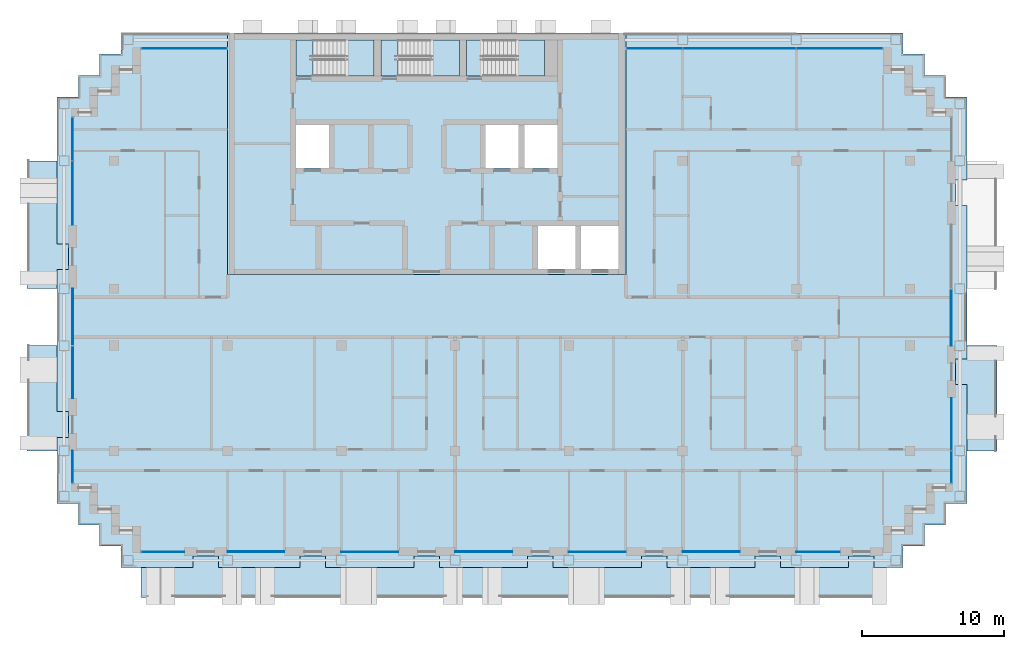
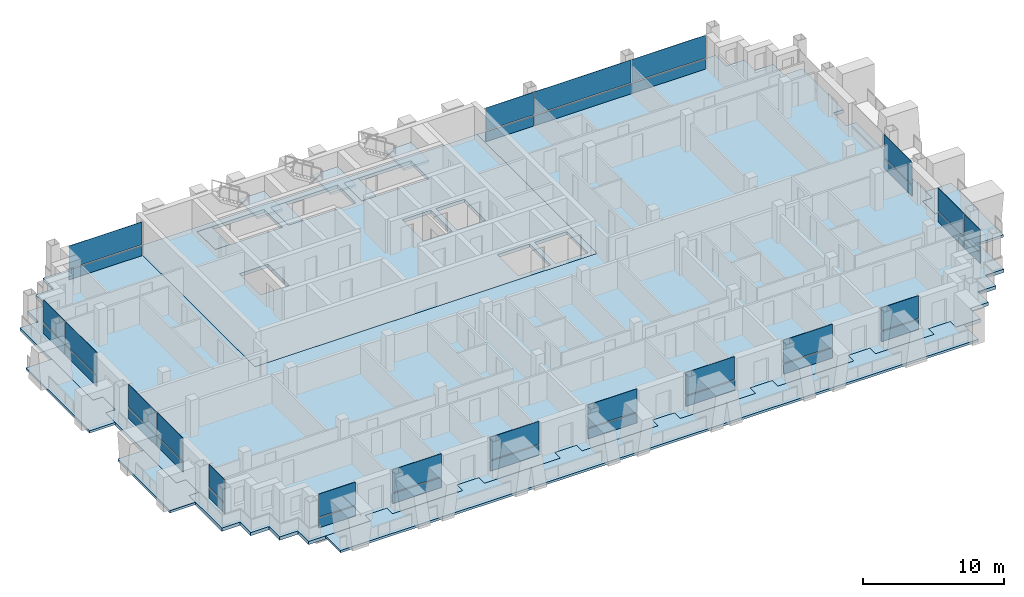
# One storey, part 6 of 16: 38 plates, 12 slabs, 17 elements without a shape of their own.
"""IFC4 building model written with IfcOpenShell, lengths in metres."""

from ifc_helpers import new_model, si_unit, direction, frame, origin, origin_2d, place, context, subcontext, project, spatial, polyline, rectangle, outline, extrude, material, layer, layer_set, type_object, element, aggregate, save


model = new_model("IFC4")

# Units and contexts
model_context = context("Model", 3, precision=1e-05, world=origin(), true_north=direction((0.0, 1.0)))
body_context = subcontext(model_context, "Body", "Model", "MODEL_VIEW")
ifc_project = project(units=[si_unit("LENGTHUNIT", "METRE"), si_unit("AREAUNIT", "SQUARE_METRE"), si_unit("VOLUMEUNIT", "CUBIC_METRE"), si_unit("PLANEANGLEUNIT", "RADIAN"), si_unit("MASSUNIT", "GRAM", prefix="KILO")], contexts=[model_context])

# Site, building, storey
site_placement = place(None, origin())
site = spatial("IfcSite", under=ifc_project, at=site_placement, CompositionType="ELEMENT")
building_placement = place(site_placement, origin())
building = spatial("IfcBuilding", under=site, at=building_placement, Name="Vidyagriha Tower", CompositionType="ELEMENT")
storey_placement = place(building_placement, frame((0.0, 0.0, 174.89990234375)))
storey = spatial("IfcBuildingStorey", under=building, at=storey_placement, Name="L45", CompositionType="ELEMENT", Elevation=174.89990234375)

# Curtain wall, plates
ifc_material_1 = material(Name="Aluminium and glass curtain wall", Category="aluminium")
curtain_wall_type = type_object("IfcCurtainWallType", Name="Dwelling skin unitised curtain wall", PredefinedType="USERDEFINED", material=ifc_material_1)
curtain_wall_1_placement = place(storey_placement, origin())
curtain_wall_1 = element("IfcCurtainWall", 1, at=curtain_wall_1_placement, inside=storey, type_object=curtain_wall_type, Name="CW1 dwelling skin", ObjectType="UNITISED", PredefinedType="USERDEFINED")
ifc_material_2 = material(Name="Glass dark ceramic-fritted spandrel", Category="glass")
ifc_layer_1 = layer(ifc_material_2, 0.0400390625)
ifc_layer_set_1 = layer_set([ifc_layer_1], Name="Glass dark ceramic-fritted spandrel")
plate_type_1 = type_object("IfcPlateType", Name="Ceramic-fritted spandrel panel", PredefinedType="CURTAIN_PANEL", material=ifc_layer_set_1)
plate_1_placement = place(storey_placement, frame((29.032470703125, 18.89990234375, 0.0), z_axis=(0.0, 0.0, 1.0), x_axis=(-1.0, 0.0, 0.0)))
plate_1 = element("IfcPlate", 2, at=plate_1_placement, type_object=plate_type_1, Name="CW1 panel 1.1", PredefinedType="CURTAIN_PANEL", context=body_context, shape_type="SweptSolid", body=[
    extrude(rectangle(XDim=5.9951171875, YDim=0.0400390625, at=origin_2d()), origin(), (0.0, 0.0, 1.0), 0.85009765625),
])
plate_2_placement = place(storey_placement, frame((16.017578125, 18.89990234375, 0.0), z_axis=(0.0, 0.0, 1.0), x_axis=(-1.0, 0.0, 0.0)))
plate_2 = element("IfcPlate", 3, at=plate_2_placement, type_object=plate_type_1, Name="CW1 panel 3.1", PredefinedType="CURTAIN_PANEL", context=body_context, shape_type="SweptSolid", body=[
    extrude(rectangle(XDim=3.89501953125, YDim=0.0400390625, at=origin_2d()), origin(), (0.0, 0.0, 1.0), 0.85009765625),
])

# Curtain wall, plate
curtain_wall_2_placement = place(storey_placement, origin())
curtain_wall_2 = element("IfcCurtainWall", 4, at=curtain_wall_2_placement, inside=storey, type_object=curtain_wall_type, Name="CW1 dwelling skin", ObjectType="UNITISED", PredefinedType="USERDEFINED")
plate_3_placement = place(storey_placement, frame((-17.050048828125, 18.89990234375, 0.0), z_axis=(0.0, 0.0, 1.0), x_axis=(-1.0, 0.0, 0.0)))
plate_3 = element("IfcPlate", 5, at=plate_3_placement, type_object=plate_type_1, Name="CW1 panel 1.1", PredefinedType="CURTAIN_PANEL", context=body_context, shape_type="SweptSolid", body=[
    extrude(rectangle(XDim=5.9599609375, YDim=0.0400390625, at=origin_2d()), origin(), (0.0, 0.0, 1.0), 0.85009765625),
])

# Curtain wall, plates
curtain_wall_3_placement = place(storey_placement, origin())
curtain_wall_3 = element("IfcCurtainWall", 6, at=curtain_wall_3_placement, inside=storey, type_object=curtain_wall_type, Name="CW1 dwelling skin", ObjectType="UNITISED", PredefinedType="USERDEFINED")
plate_4_placement = place(storey_placement, frame((-24.89990234375, 12.532470703125, 0.0), z_axis=(0.0, 0.0, 1.0), x_axis=(0.0, -1.0, 0.0)))
plate_4 = element("IfcPlate", 7, at=plate_4_placement, type_object=plate_type_1, Name="CW1 panel 1.1", PredefinedType="CURTAIN_PANEL", context=body_context, shape_type="SweptSolid", body=[
    extrude(rectangle(XDim=2.9951171875, YDim=0.0400390625, at=origin_2d()), origin(), (0.0, 0.0, 1.0), 0.85009765625),
])
plate_5_placement = place(storey_placement, frame((-24.89990234375, 8.732421875, 0.0), z_axis=(0.0, 0.0, 1.0), x_axis=(0.0, -1.0, 0.0)))
plate_5 = element("IfcPlate", 8, at=plate_5_placement, type_object=plate_type_1, Name="CW1 panel 2.1", PredefinedType="CURTAIN_PANEL", context=body_context, shape_type="SweptSolid", body=[
    extrude(rectangle(XDim=4.465087890625, YDim=0.0400390625, at=origin_2d()), origin(), (0.0, 0.0, 1.0), 0.85009765625),
])

# Curtain wall, plate
curtain_wall_4_placement = place(storey_placement, origin())
curtain_wall_4 = element("IfcCurtainWall", 9, at=curtain_wall_4_placement, inside=storey, type_object=curtain_wall_type, Name="CW1 dwelling skin", ObjectType="UNITISED", PredefinedType="USERDEFINED")
plate_6_placement = place(storey_placement, frame((-24.89990234375, -10.514892578125, 0.0), z_axis=(0.0, 0.0, 1.0), x_axis=(0.0, -1.0, 0.0)))
plate_6 = element("IfcPlate", 10, at=plate_6_placement, type_object=plate_type_1, Name="CW1 panel 1.1", PredefinedType="CURTAIN_PANEL", context=body_context, shape_type="SweptSolid", body=[
    extrude(rectangle(XDim=2.22998046875, YDim=0.0400390625, at=origin_2d()), origin(), (0.0, 0.0, 1.0), 0.85009765625),
])

curtain_wall_5_placement = place(storey_placement, origin())
curtain_wall_5 = element("IfcCurtainWall", 11, at=curtain_wall_5_placement, inside=storey, type_object=curtain_wall_type, Name="CW1 dwelling skin", ObjectType="UNITISED", PredefinedType="USERDEFINED")
plate_7_placement = place(storey_placement, frame((-18.5400390625, -16.5, 0.0)))
plate_7 = element("IfcPlate", 12, at=plate_7_placement, type_object=plate_type_1, Name="CW1 panel 1.1", PredefinedType="CURTAIN_PANEL", context=body_context, shape_type="SweptSolid", body=[
    extrude(rectangle(XDim=2.97998046875, YDim=0.0400390625, at=origin_2d()), origin(), (0.0, 0.0, 1.0), 0.85009765625),
])

curtain_wall_6_placement = place(storey_placement, origin())
curtain_wall_6 = element("IfcCurtainWall", 13, at=curtain_wall_6_placement, inside=storey, type_object=curtain_wall_type, Name="CW1 dwelling skin", ObjectType="UNITISED", PredefinedType="USERDEFINED")
plate_8_placement = place(storey_placement, frame((-4.0, -16.5, 0.0)))
plate_8 = element("IfcPlate", 14, at=plate_8_placement, type_object=plate_type_1, Name="CW1 panel 1.1", PredefinedType="CURTAIN_PANEL", context=body_context, shape_type="SweptSolid", body=[
    extrude(rectangle(XDim=4.0, YDim=0.0400390625, at=origin_2d()), origin(), (0.0, 0.0, 1.0), 0.85009765625),
])

curtain_wall_7_placement = place(storey_placement, origin())
curtain_wall_7 = element("IfcCurtainWall", 15, at=curtain_wall_7_placement, inside=storey, type_object=curtain_wall_type, Name="CW1 dwelling skin", ObjectType="UNITISED", PredefinedType="USERDEFINED")
plate_9_placement = place(storey_placement, frame((12.0, -16.5, 0.0)))
plate_9 = element("IfcPlate", 16, at=plate_9_placement, type_object=plate_type_1, Name="CW1 panel 1.1", PredefinedType="CURTAIN_PANEL", context=body_context, shape_type="SweptSolid", body=[
    extrude(rectangle(XDim=4.0, YDim=0.0400390625, at=origin_2d()), origin(), (0.0, 0.0, 1.0), 0.85009765625),
])

curtain_wall_8_placement = place(storey_placement, origin())
curtain_wall_8 = element("IfcCurtainWall", 17, at=curtain_wall_8_placement, inside=storey, type_object=curtain_wall_type, Name="CW1 dwelling skin", ObjectType="UNITISED", PredefinedType="USERDEFINED")
plate_10_placement = place(storey_placement, frame((27.52490234375, -16.5, 0.0)))
plate_10 = element("IfcPlate", 18, at=plate_10_placement, type_object=plate_type_1, Name="CW1 panel 1.1", PredefinedType="CURTAIN_PANEL", context=body_context, shape_type="SweptSolid", body=[
    extrude(rectangle(XDim=3.050048828125, YDim=0.0400390625, at=origin_2d()), origin(), (0.0, 0.0, 1.0), 0.85009765625),
])

# Curtain wall, plates
curtain_wall_9_placement = place(storey_placement, origin())
curtain_wall_9 = element("IfcCurtainWall", 19, at=curtain_wall_9_placement, inside=storey, type_object=curtain_wall_type, Name="CW1 dwelling skin", ObjectType="UNITISED", PredefinedType="USERDEFINED")
plate_11_placement = place(storey_placement, frame((36.89990234375, -10.532470703125, 0.0), z_axis=(0.0, 0.0, 1.0), x_axis=(0.0, 1.0, 0.0)))
plate_11 = element("IfcPlate", 20, at=plate_11_placement, type_object=plate_type_1, Name="CW1 panel 1.1", PredefinedType="CURTAIN_PANEL", context=body_context, shape_type="SweptSolid", body=[
    extrude(rectangle(XDim=2.195068359375, YDim=0.0400390625, at=origin_2d()), origin(), (0.0, 0.0, 1.0), 0.85009765625),
])
plate_12_placement = place(storey_placement, frame((36.89990234375, -7.532470703125, 0.0), z_axis=(0.0, 0.0, 1.0), x_axis=(0.0, 1.0, 0.0)))
plate_12 = element("IfcPlate", 21, at=plate_12_placement, type_object=plate_type_1, Name="CW1 panel 2.1", PredefinedType="CURTAIN_PANEL", context=body_context, shape_type="SweptSolid", body=[
    extrude(rectangle(XDim=3.6650390625, YDim=0.0400390625, at=origin_2d()), origin(), (0.0, 0.0, 1.0), 0.85009765625),
])

# Slab
ifc_material_3 = material(Name="Concrete C60/75", Category="concrete")
ifc_layer_2 = layer(ifc_material_3, 0.280029296875)
ifc_layer_set_2 = layer_set([ifc_layer_2], Name="Concrete C60/75")
slab_type_1 = type_object("IfcSlabType", Name="Core floor slab 280 mm", PredefinedType="FLOOR", material=ifc_layer_set_2)
slab_1_placement = place(storey_placement, frame((0.0, 0.0, -0.27978515625)))
element("IfcSlab", 22, at=slab_1_placement, inside=storey, type_object=slab_type_1, Name="L45 core floor 1", PredefinedType="FLOOR", context=body_context, shape_type="SweptSolid", body=[
    extrude(outline(polyline([(-14.0, 3.0), (-14.0, 20.0), (14.0, 20.0), (14.0, 3.0), (-14.0, 3.0)]), holes=[polyline([(13.5, 6.39990234375), (10.855712890625, 6.39990234375), (10.855712890625, 3.39990234375), (13.5, 3.39990234375), (13.5, 6.39990234375)]), polyline([(10.45556640625, 6.39990234375), (7.81103515625, 6.39990234375), (7.81103515625, 3.39990234375), (10.45556640625, 3.39990234375), (10.45556640625, 6.39990234375)]), polyline([(9.199951171875, 13.5), (6.86669921875, 13.5), (6.86669921875, 10.5), (9.199951171875, 10.5), (9.199951171875, 13.5)]), polyline([(2.800048828125, 19.5), (2.800048828125, 16.949951171875), (4.0, 16.949951171875), (8.300048828125, 16.949951171875), (8.300048828125, 19.5), (4.0, 19.5), (2.800048828125, 19.5)]), polyline([(4.13330078125, 13.5), (4.13330078125, 10.5), (6.466796875, 10.5), (6.466796875, 13.5), (4.13330078125, 13.5)]), polyline([(-2.0, 19.5), (-3.199951171875, 19.5), (-3.199951171875, 16.949951171875), (-2.0, 16.949951171875), (2.300048828125, 16.949951171875), (2.300048828125, 19.5), (-2.0, 19.5)]), polyline([(-9.199951171875, 19.5), (-9.199951171875, 16.949951171875), (-8.0, 16.949951171875), (-3.699951171875, 16.949951171875), (-3.699951171875, 19.5), (-8.0, 19.5), (-9.199951171875, 19.5)]), polyline([(-9.199951171875, 13.5), (-9.199951171875, 10.5), (-6.86669921875, 10.5), (-6.86669921875, 13.5), (-9.199951171875, 13.5)])]), origin(), (0.0, 0.0, 1.0), 0.27978515625),
])

# Plate
ifc_material_4 = material(Name="Glass dark ceramic-fritted", Category="glass")
ifc_layer_3 = layer(ifc_material_4, 0.028076171875)
ifc_layer_set_3 = layer_set([ifc_layer_3], Name="Glass dark ceramic-fritted")
plate_type_2 = type_object("IfcPlateType", Name="Dark ceramic-fritted vision glass panel", PredefinedType="CURTAIN_PANEL", material=ifc_layer_set_3)
plate_13_placement = place(storey_placement, frame((29.032470703125, 18.89990234375, 0.9501953125), z_axis=(0.0, 0.0, 1.0), x_axis=(-1.0, 0.0, 0.0)))
plate_13 = element("IfcPlate", 23, at=plate_13_placement, type_object=plate_type_2, Name="CW1 panel 1.2", PredefinedType="CURTAIN_PANEL", context=body_context, shape_type="SweptSolid", body=[
    extrude(rectangle(XDim=5.9951171875, YDim=0.028076171875, at=origin_2d()), origin(), (0.0, 0.0, 1.0), 1.969970703125),
])

plate_14_placement = place(storey_placement, frame((22.0, 18.89990234375, 0.9501953125), z_axis=(0.0, 0.0, 1.0), x_axis=(-1.0, 0.0, 0.0)))
plate_14 = element("IfcPlate", 24, at=plate_14_placement, type_object=plate_type_2, Name="CW1 panel 2.2", PredefinedType="CURTAIN_PANEL", context=body_context, shape_type="SweptSolid", body=[
    extrude(rectangle(XDim=7.929931640625, YDim=0.028076171875, at=origin_2d()), origin(), (0.0, 0.0, 1.0), 1.969970703125),
])

plate_15_placement = place(storey_placement, frame((16.017578125, 18.89990234375, 0.9501953125), z_axis=(0.0, 0.0, 1.0), x_axis=(-1.0, 0.0, 0.0)))
plate_15 = element("IfcPlate", 25, at=plate_15_placement, type_object=plate_type_2, Name="CW1 panel 3.2", PredefinedType="CURTAIN_PANEL", context=body_context, shape_type="SweptSolid", body=[
    extrude(rectangle(XDim=3.89501953125, YDim=0.028076171875, at=origin_2d()), origin(), (0.0, 0.0, 1.0), 1.969970703125),
])

plate_16_placement = place(storey_placement, frame((-17.050048828125, 18.89990234375, 0.9501953125), z_axis=(0.0, 0.0, 1.0), x_axis=(-1.0, 0.0, 0.0)))
plate_16 = element("IfcPlate", 26, at=plate_16_placement, type_object=plate_type_2, Name="CW1 panel 1.2", PredefinedType="CURTAIN_PANEL", context=body_context, shape_type="SweptSolid", body=[
    extrude(rectangle(XDim=5.9599609375, YDim=0.028076171875, at=origin_2d()), origin(), (0.0, 0.0, 1.0), 1.969970703125),
])

aggregate(curtain_wall_2, [plate_3, plate_16])

plate_17_placement = place(storey_placement, frame((-24.89990234375, 12.532470703125, 0.9501953125), z_axis=(0.0, 0.0, 1.0), x_axis=(0.0, -1.0, 0.0)))
plate_17 = element("IfcPlate", 27, at=plate_17_placement, type_object=plate_type_2, Name="CW1 panel 1.2", PredefinedType="CURTAIN_PANEL", context=body_context, shape_type="SweptSolid", body=[
    extrude(rectangle(XDim=2.9951171875, YDim=0.028076171875, at=origin_2d()), origin(), (0.0, 0.0, 1.0), 1.969970703125),
])

plate_18_placement = place(storey_placement, frame((-24.89990234375, 8.732421875, 0.9501953125), z_axis=(0.0, 0.0, 1.0), x_axis=(0.0, -1.0, 0.0)))
plate_18 = element("IfcPlate", 28, at=plate_18_placement, type_object=plate_type_2, Name="CW1 panel 2.2", PredefinedType="CURTAIN_PANEL", context=body_context, shape_type="SweptSolid", body=[
    extrude(rectangle(XDim=4.465087890625, YDim=0.028076171875, at=origin_2d()), origin(), (0.0, 0.0, 1.0), 1.969970703125),
])

aggregate(curtain_wall_3, [plate_4, plate_17, plate_5, plate_18])

# Curtain wall, plates
curtain_wall_10_placement = place(storey_placement, origin())
curtain_wall_10 = element("IfcCurtainWall", 29, at=curtain_wall_10_placement, inside=storey, type_object=curtain_wall_type, Name="CW1 dwelling skin", ObjectType="UNITISED", PredefinedType="USERDEFINED")
plate_19_placement = place(storey_placement, frame((-24.89990234375, 0.017578125, 0.9501953125), z_axis=(0.0, 0.0, 1.0), x_axis=(0.0, -1.0, 0.0)))
plate_19 = element("IfcPlate", 30, at=plate_19_placement, type_object=plate_type_2, Name="CW1 panel 1.2", PredefinedType="CURTAIN_PANEL", context=body_context, shape_type="SweptSolid", body=[
    extrude(rectangle(XDim=3.965087890625, YDim=0.028076171875, at=origin_2d()), origin(), (0.0, 0.0, 1.0), 1.969970703125),
])
plate_20_placement = place(storey_placement, frame((-24.89990234375, -3.867431640625, 0.9501953125), z_axis=(0.0, 0.0, 1.0), x_axis=(0.0, -1.0, 0.0)))
plate_20 = element("IfcPlate", 31, at=plate_20_placement, type_object=plate_type_2, Name="CW1 panel 2.2", PredefinedType="CURTAIN_PANEL", context=body_context, shape_type="SweptSolid", body=[
    extrude(rectangle(XDim=3.6650390625, YDim=0.028076171875, at=origin_2d()), origin(), (0.0, 0.0, 1.0), 1.969970703125),
])

# Plate
plate_21_placement = place(storey_placement, frame((-24.89990234375, -10.514892578125, 0.9501953125), z_axis=(0.0, 0.0, 1.0), x_axis=(0.0, -1.0, 0.0)))
plate_21 = element("IfcPlate", 32, at=plate_21_placement, type_object=plate_type_2, Name="CW1 panel 1.2", PredefinedType="CURTAIN_PANEL", context=body_context, shape_type="SweptSolid", body=[
    extrude(rectangle(XDim=2.22998046875, YDim=0.028076171875, at=origin_2d()), origin(), (0.0, 0.0, 1.0), 1.969970703125),
])

aggregate(curtain_wall_4, [plate_6, plate_21])

plate_22_placement = place(storey_placement, frame((-18.5400390625, -16.5, 0.9501953125)))
plate_22 = element("IfcPlate", 33, at=plate_22_placement, type_object=plate_type_2, Name="CW1 panel 1.2", PredefinedType="CURTAIN_PANEL", context=body_context, shape_type="SweptSolid", body=[
    extrude(rectangle(XDim=2.97998046875, YDim=0.028076171875, at=origin_2d()), origin(), (0.0, 0.0, 1.0), 1.969970703125),
])

aggregate(curtain_wall_5, [plate_7, plate_22])

# Curtain wall, plate
curtain_wall_11_placement = place(storey_placement, origin())
curtain_wall_11 = element("IfcCurtainWall", 34, at=curtain_wall_11_placement, inside=storey, type_object=curtain_wall_type, Name="CW1 dwelling skin", ObjectType="UNITISED", PredefinedType="USERDEFINED")
plate_23_placement = place(storey_placement, frame((-12.0, -16.5, 0.9501953125)))
plate_23 = element("IfcPlate", 35, at=plate_23_placement, type_object=plate_type_2, Name="CW1 panel 1.2", PredefinedType="CURTAIN_PANEL", context=body_context, shape_type="SweptSolid", body=[
    extrude(rectangle(XDim=4.0, YDim=0.028076171875, at=origin_2d()), origin(), (0.0, 0.0, 1.0), 1.969970703125),
])

# Plate
plate_24_placement = place(storey_placement, frame((-4.0, -16.5, 0.9501953125)))
plate_24 = element("IfcPlate", 36, at=plate_24_placement, type_object=plate_type_2, Name="CW1 panel 1.2", PredefinedType="CURTAIN_PANEL", context=body_context, shape_type="SweptSolid", body=[
    extrude(rectangle(XDim=4.0, YDim=0.028076171875, at=origin_2d()), origin(), (0.0, 0.0, 1.0), 1.969970703125),
])

aggregate(curtain_wall_6, [plate_8, plate_24])

# Curtain wall, plate
curtain_wall_12_placement = place(storey_placement, origin())
curtain_wall_12 = element("IfcCurtainWall", 37, at=curtain_wall_12_placement, inside=storey, type_object=curtain_wall_type, Name="CW1 dwelling skin", ObjectType="UNITISED", PredefinedType="USERDEFINED")
plate_25_placement = place(storey_placement, frame((4.0, -16.5, 0.9501953125)))
plate_25 = element("IfcPlate", 38, at=plate_25_placement, type_object=plate_type_2, Name="CW1 panel 1.2", PredefinedType="CURTAIN_PANEL", context=body_context, shape_type="SweptSolid", body=[
    extrude(rectangle(XDim=4.0, YDim=0.028076171875, at=origin_2d()), origin(), (0.0, 0.0, 1.0), 1.969970703125),
])

# Plate
plate_26_placement = place(storey_placement, frame((12.0, -16.5, 0.9501953125)))
plate_26 = element("IfcPlate", 39, at=plate_26_placement, type_object=plate_type_2, Name="CW1 panel 1.2", PredefinedType="CURTAIN_PANEL", context=body_context, shape_type="SweptSolid", body=[
    extrude(rectangle(XDim=4.0, YDim=0.028076171875, at=origin_2d()), origin(), (0.0, 0.0, 1.0), 1.969970703125),
])

aggregate(curtain_wall_7, [plate_9, plate_26])

# Curtain wall, plate
curtain_wall_13_placement = place(storey_placement, origin())
curtain_wall_13 = element("IfcCurtainWall", 40, at=curtain_wall_13_placement, inside=storey, type_object=curtain_wall_type, Name="CW1 dwelling skin", ObjectType="UNITISED", PredefinedType="USERDEFINED")
plate_27_placement = place(storey_placement, frame((20.0, -16.5, 0.9501953125)))
plate_27 = element("IfcPlate", 41, at=plate_27_placement, type_object=plate_type_2, Name="CW1 panel 1.2", PredefinedType="CURTAIN_PANEL", context=body_context, shape_type="SweptSolid", body=[
    extrude(rectangle(XDim=4.0, YDim=0.028076171875, at=origin_2d()), origin(), (0.0, 0.0, 1.0), 1.969970703125),
])

# Plate
plate_28_placement = place(storey_placement, frame((27.52490234375, -16.5, 0.9501953125)))
plate_28 = element("IfcPlate", 42, at=plate_28_placement, type_object=plate_type_2, Name="CW1 panel 1.2", PredefinedType="CURTAIN_PANEL", context=body_context, shape_type="SweptSolid", body=[
    extrude(rectangle(XDim=3.050048828125, YDim=0.028076171875, at=origin_2d()), origin(), (0.0, 0.0, 1.0), 1.969970703125),
])

aggregate(curtain_wall_8, [plate_10, plate_28])

plate_29_placement = place(storey_placement, frame((36.89990234375, -10.532470703125, 0.9501953125), z_axis=(0.0, 0.0, 1.0), x_axis=(0.0, 1.0, 0.0)))
plate_29 = element("IfcPlate", 43, at=plate_29_placement, type_object=plate_type_2, Name="CW1 panel 1.2", PredefinedType="CURTAIN_PANEL", context=body_context, shape_type="SweptSolid", body=[
    extrude(rectangle(XDim=2.195068359375, YDim=0.028076171875, at=origin_2d()), origin(), (0.0, 0.0, 1.0), 1.969970703125),
])

plate_30_placement = place(storey_placement, frame((36.89990234375, -7.532470703125, 0.9501953125), z_axis=(0.0, 0.0, 1.0), x_axis=(0.0, 1.0, 0.0)))
plate_30 = element("IfcPlate", 44, at=plate_30_placement, type_object=plate_type_2, Name="CW1 panel 2.2", PredefinedType="CURTAIN_PANEL", context=body_context, shape_type="SweptSolid", body=[
    extrude(rectangle(XDim=3.6650390625, YDim=0.028076171875, at=origin_2d()), origin(), (0.0, 0.0, 1.0), 1.969970703125),
])

aggregate(curtain_wall_9, [plate_11, plate_29, plate_12, plate_30])

# Curtain wall, plate
curtain_wall_14_placement = place(storey_placement, origin())
curtain_wall_14 = element("IfcCurtainWall", 45, at=curtain_wall_14_placement, inside=storey, type_object=curtain_wall_type, Name="CW1 dwelling skin", ObjectType="UNITISED", PredefinedType="USERDEFINED")
plate_31_placement = place(storey_placement, frame((36.89990234375, -0.017578125, 0.9501953125), z_axis=(0.0, 0.0, 1.0), x_axis=(0.0, 1.0, 0.0)))
plate_31 = element("IfcPlate", 46, at=plate_31_placement, type_object=plate_type_2, Name="CW1 panel 1.2", PredefinedType="CURTAIN_PANEL", context=body_context, shape_type="SweptSolid", body=[
    extrude(rectangle(XDim=3.965087890625, YDim=0.028076171875, at=origin_2d()), origin(), (0.0, 0.0, 1.0), 1.969970703125),
])

# Slabs
ifc_material_5 = material(Name="Concrete C40/50", Category="concrete")
ifc_layer_4 = layer(ifc_material_5, 0.280029296875)
ifc_layer_set_4 = layer_set([ifc_layer_4], Name="Concrete C40/50")
slab_type_2 = type_object("IfcSlabType", Name="Exit stair floor landing 280 mm", PredefinedType="LANDING", material=ifc_layer_set_4)
slab_2_placement = place(storey_placement, frame((0.0, 0.0, -0.27978515625)))
element("IfcSlab", 47, at=slab_2_placement, inside=storey, type_object=slab_type_2, Name="ST1 floor landing L45", PredefinedType="LANDING", context=body_context, shape_type="SweptSolid", body=[
    extrude(outline(polyline([(-9.199951171875, 16.949951171875), (-8.0, 16.949951171875), (-8.0, 19.5), (-9.199951171875, 19.5), (-9.199951171875, 16.949951171875)])), origin(), (0.0, 0.0, 1.0), 0.27978515625),
])
slab_3_placement = place(storey_placement, frame((0.0, 0.0, -0.27978515625)))
element("IfcSlab", 48, at=slab_3_placement, inside=storey, type_object=slab_type_2, Name="ST2 floor landing L45", PredefinedType="LANDING", context=body_context, shape_type="SweptSolid", body=[
    extrude(outline(polyline([(-3.199951171875, 16.949951171875), (-2.0, 16.949951171875), (-2.0, 19.5), (-3.199951171875, 19.5), (-3.199951171875, 16.949951171875)])), origin(), (0.0, 0.0, 1.0), 0.27978515625),
])
slab_4_placement = place(storey_placement, frame((0.0, 0.0, -0.27978515625)))
element("IfcSlab", 49, at=slab_4_placement, inside=storey, type_object=slab_type_2, Name="ST3 floor landing L45", PredefinedType="LANDING", context=body_context, shape_type="SweptSolid", body=[
    extrude(outline(polyline([(2.800048828125, 16.949951171875), (4.0, 16.949951171875), (4.0, 19.5), (2.800048828125, 19.5), (2.800048828125, 16.949951171875)])), origin(), (0.0, 0.0, 1.0), 0.27978515625),
])

# Stair, slab
ifc_material_6 = material(Name="Concrete C40/50", Category="concrete")
stair_type = type_object("IfcStairType", Name="Exit stair, half-turn, precast flights", PredefinedType="HALF_TURN_STAIR", material=ifc_material_6)
stair_1_placement = place(storey_placement, origin())
stair_1 = element("IfcStair", 50, at=stair_1_placement, inside=storey, type_object=stair_type, Name="L45 Exit Stair ST1", PredefinedType="HALF_TURN_STAIR")
ifc_material_7 = material(Name="Concrete C40/50", Category="concrete")
ifc_layer_5 = layer(ifc_material_7, 0.199951171875)
ifc_layer_set_5 = layer_set([ifc_layer_5], Name="Concrete C40/50")
slab_type_3 = type_object("IfcSlabType", Name="Exit stair landing 200 mm", PredefinedType="LANDING", material=ifc_layer_set_5)
slab_5_placement = place(storey_placement, frame((0.0, 0.0, 1.400146484375)))
slab_5 = element("IfcSlab", 51, at=slab_5_placement, type_object=slab_type_3, Name="ST1 landing 1", PredefinedType="LANDING", context=body_context, shape_type="SweptSolid", body=[
    extrude(outline(polyline([(-5.760009765625, 16.949951171875), (-3.699951171875, 16.949951171875), (-3.699951171875, 19.5), (-5.760009765625, 19.5), (-5.760009765625, 16.949951171875)])), origin(), (0.0, 0.0, 1.0), 0.199951171875),
])
aggregate(stair_1, [slab_5])

stair_2_placement = place(storey_placement, origin())
stair_2 = element("IfcStair", 52, at=stair_2_placement, inside=storey, type_object=stair_type, Name="L45 Exit Stair ST2", PredefinedType="HALF_TURN_STAIR")
slab_6_placement = place(storey_placement, frame((0.0, 0.0, 1.400146484375)))
slab_6 = element("IfcSlab", 53, at=slab_6_placement, type_object=slab_type_3, Name="ST2 landing 1", PredefinedType="LANDING", context=body_context, shape_type="SweptSolid", body=[
    extrude(outline(polyline([(0.239990234375, 16.949951171875), (2.300048828125, 16.949951171875), (2.300048828125, 19.5), (0.239990234375, 19.5), (0.239990234375, 16.949951171875)])), origin(), (0.0, 0.0, 1.0), 0.199951171875),
])
aggregate(stair_2, [slab_6])

stair_3_placement = place(storey_placement, origin())
stair_3 = element("IfcStair", 54, at=stair_3_placement, inside=storey, type_object=stair_type, Name="L45 Exit Stair ST3", PredefinedType="HALF_TURN_STAIR")
slab_7_placement = place(storey_placement, frame((0.0, 0.0, 1.400146484375)))
slab_7 = element("IfcSlab", 55, at=slab_7_placement, type_object=slab_type_3, Name="ST3 landing 1", PredefinedType="LANDING", context=body_context, shape_type="SweptSolid", body=[
    extrude(outline(polyline([(6.239990234375, 16.949951171875), (8.300048828125, 16.949951171875), (8.300048828125, 19.5), (6.239990234375, 19.5), (6.239990234375, 16.949951171875)])), origin(), (0.0, 0.0, 1.0), 0.199951171875),
])
aggregate(stair_3, [slab_7])

# Plate
ifc_material_8 = material(Name="Aluminium black anodised", Category="aluminium")
ifc_layer_6 = layer(ifc_material_8, 0.06005859375)
ifc_layer_set_6 = layer_set([ifc_layer_6], Name="Aluminium black anodised")
plate_type_3 = type_object("IfcPlateType", Name="Operable black-metal vent panel", PredefinedType="CURTAIN_PANEL", material=ifc_layer_set_6)
plate_32_placement = place(storey_placement, frame((22.0, 18.89990234375, 0.0), z_axis=(0.0, 0.0, 1.0), x_axis=(-1.0, 0.0, 0.0)))
plate_32 = element("IfcPlate", 56, at=plate_32_placement, type_object=plate_type_3, Name="CW1 panel 2.1", PredefinedType="CURTAIN_PANEL", context=body_context, shape_type="SweptSolid", body=[
    extrude(rectangle(XDim=7.929931640625, YDim=0.06005859375, at=origin_2d()), origin(), (0.0, 0.0, 1.0), 0.85009765625),
])

aggregate(curtain_wall_1, [plate_1, plate_13, plate_32, plate_14, plate_2, plate_15])

plate_33_placement = place(storey_placement, frame((-24.89990234375, 0.017578125, 0.0), z_axis=(0.0, 0.0, 1.0), x_axis=(0.0, -1.0, 0.0)))
plate_33 = element("IfcPlate", 57, at=plate_33_placement, type_object=plate_type_3, Name="CW1 panel 1.1", PredefinedType="CURTAIN_PANEL", context=body_context, shape_type="SweptSolid", body=[
    extrude(rectangle(XDim=3.965087890625, YDim=0.06005859375, at=origin_2d()), origin(), (0.0, 0.0, 1.0), 0.85009765625),
])

plate_34_placement = place(storey_placement, frame((-24.89990234375, -3.867431640625, 0.0), z_axis=(0.0, 0.0, 1.0), x_axis=(0.0, -1.0, 0.0)))
plate_34 = element("IfcPlate", 58, at=plate_34_placement, type_object=plate_type_3, Name="CW1 panel 2.1", PredefinedType="CURTAIN_PANEL", context=body_context, shape_type="SweptSolid", body=[
    extrude(rectangle(XDim=3.6650390625, YDim=0.06005859375, at=origin_2d()), origin(), (0.0, 0.0, 1.0), 0.85009765625),
])

aggregate(curtain_wall_10, [plate_33, plate_19, plate_34, plate_20])

plate_35_placement = place(storey_placement, frame((-12.0, -16.5, 0.0)))
plate_35 = element("IfcPlate", 59, at=plate_35_placement, type_object=plate_type_3, Name="CW1 panel 1.1", PredefinedType="CURTAIN_PANEL", context=body_context, shape_type="SweptSolid", body=[
    extrude(rectangle(XDim=4.0, YDim=0.06005859375, at=origin_2d()), origin(), (0.0, 0.0, 1.0), 0.85009765625),
])

aggregate(curtain_wall_11, [plate_35, plate_23])

plate_36_placement = place(storey_placement, frame((4.0, -16.5, 0.0)))
plate_36 = element("IfcPlate", 60, at=plate_36_placement, type_object=plate_type_3, Name="CW1 panel 1.1", PredefinedType="CURTAIN_PANEL", context=body_context, shape_type="SweptSolid", body=[
    extrude(rectangle(XDim=4.0, YDim=0.06005859375, at=origin_2d()), origin(), (0.0, 0.0, 1.0), 0.85009765625),
])

aggregate(curtain_wall_12, [plate_36, plate_25])

plate_37_placement = place(storey_placement, frame((20.0, -16.5, 0.0)))
plate_37 = element("IfcPlate", 61, at=plate_37_placement, type_object=plate_type_3, Name="CW1 panel 1.1", PredefinedType="CURTAIN_PANEL", context=body_context, shape_type="SweptSolid", body=[
    extrude(rectangle(XDim=4.0, YDim=0.06005859375, at=origin_2d()), origin(), (0.0, 0.0, 1.0), 0.85009765625),
])

aggregate(curtain_wall_13, [plate_37, plate_27])

plate_38_placement = place(storey_placement, frame((36.89990234375, -0.017578125, 0.0), z_axis=(0.0, 0.0, 1.0), x_axis=(0.0, 1.0, 0.0)))
plate_38 = element("IfcPlate", 62, at=plate_38_placement, type_object=plate_type_3, Name="CW1 panel 1.1", PredefinedType="CURTAIN_PANEL", context=body_context, shape_type="SweptSolid", body=[
    extrude(rectangle(XDim=3.965087890625, YDim=0.06005859375, at=origin_2d()), origin(), (0.0, 0.0, 1.0), 0.85009765625),
])

aggregate(curtain_wall_14, [plate_38, plate_31])

# Slabs
ifc_material_9 = material(Name="Concrete C50/60", Category="concrete")
ifc_layer_7 = layer(ifc_material_9, 0.280029296875)
ifc_layer_set_7 = layer_set([ifc_layer_7], Name="Concrete C50/60")
slab_type_4 = type_object("IfcSlabType", Name="Post-tensioned flat plate 280", PredefinedType="FLOOR", material=ifc_layer_set_7)
slab_8_placement = place(storey_placement, frame((0.0, 0.0, -0.27978515625)))
element("IfcSlab", 63, at=slab_8_placement, inside=storey, type_object=slab_type_4, Name="st-slab-L45-1", PredefinedType="FLOOR", context=body_context, shape_type="SweptSolid", body=[
    extrude(outline(polyline([(36.5, -14.60009765625), (35.0, -14.60009765625), (35.0, -16.10009765625), (33.5, -16.10009765625), (33.5, -17.60009765625), (31.47509765625, -17.60009765625), (31.47509765625, -16.800048828125), (29.675048828125, -16.800048828125), (29.675048828125, -17.60009765625), (24.89990234375, -17.60009765625), (24.89990234375, -16.800048828125), (23.10009765625, -16.800048828125), (23.10009765625, -17.60009765625), (16.89990234375, -17.60009765625), (16.89990234375, -16.800048828125), (15.10009765625, -16.800048828125), (15.10009765625, -17.60009765625), (8.89990234375, -17.60009765625), (8.89990234375, -16.800048828125), (7.10009765625, -16.800048828125), (7.10009765625, -17.60009765625), (0.89990234375, -17.60009765625), (0.89990234375, -16.800048828125), (-0.89990234375, -16.800048828125), (-0.89990234375, -17.60009765625), (-7.10009765625, -17.60009765625), (-7.10009765625, -16.800048828125), (-8.89990234375, -16.800048828125), (-8.89990234375, -17.60009765625), (-14.625, -17.60009765625), (-14.625, -16.800048828125), (-16.425048828125, -16.800048828125), (-16.425048828125, -17.60009765625), (-21.5, -17.60009765625), (-21.5, -16.10009765625), (-23.0, -16.10009765625), (-23.0, -14.60009765625), (-24.5, -14.60009765625), (-24.5, -13.10009765625), (-26.0, -13.10009765625), (-26.0, -8.449951171875), (-25.199951171875, -8.449951171875), (-25.199951171875, -6.64990234375), (-26.0, -6.64990234375), (-26.0, 3.35009765625), (-25.199951171875, 3.35009765625), (-25.199951171875, 5.14990234375), (-26.0, 5.14990234375), (-26.0, 15.5), (-24.5, 15.5), (-24.5, 17.0), (-23.0, 17.0), (-23.0, 18.5), (-21.5, 18.5), (-21.5, 20.0), (-14.0, 20.0), (-14.0, 3.0), (14.0, 3.0), (14.0, 20.0), (33.5, 20.0), (33.5, 18.5), (35.0, 18.5), (35.0, 17.0), (36.5, 17.0), (36.5, 15.5), (38.0, 15.5), (38.0, 9.64990234375), (37.199951171875, 9.64990234375), (37.199951171875, 7.85009765625), (38.0, 7.85009765625), (38.0, -2.949951171875), (37.199951171875, -2.949951171875), (37.199951171875, -4.75), (38.0, -4.75), (38.0, -13.10009765625), (36.5, -13.10009765625), (36.5, -14.60009765625)])), origin(), (0.0, 0.0, 1.0), 0.27978515625),
])
ifc_material_10 = material(Name="Precast concrete C40/50", Category="concrete")
ifc_layer_8 = layer(ifc_material_10, 0.199951171875)
ifc_layer_set_8 = layer_set([ifc_layer_8], Name="Precast concrete C40/50")
slab_type_5 = type_object("IfcSlabType", Name="Precast balcony slab 200", PredefinedType="USERDEFINED", material=ifc_layer_set_8)
slab_9_placement = place(storey_placement, frame((0.0, 0.0, -0.199951171875)))
element("IfcSlab", 64, at=slab_9_placement, inside=storey, type_object=slab_type_5, Name="Balcony slab L45 R16.1-1", ObjectType="BALCONY", PredefinedType="USERDEFINED", context=body_context, shape_type="SweptSolid", body=[
    extrude(outline(polyline([(-25.199951171875, 3.35009765625), (-25.199951171875, 5.14990234375), (-26.0, 5.14990234375), (-26.0, 11.0), (-28.10009765625, 11.0), (-28.10009765625, 2.0), (-26.0, 2.0), (-26.0, 3.35009765625), (-25.199951171875, 3.35009765625)])), origin(), (0.0, 0.0, 1.0), 0.199951171875),
])
slab_10_placement = place(storey_placement, frame((0.0, 0.0, -0.199951171875)))
element("IfcSlab", 65, at=slab_10_placement, inside=storey, type_object=slab_type_5, Name="Balcony slab L45 R16.2-2", ObjectType="BALCONY", PredefinedType="USERDEFINED", context=body_context, shape_type="SweptSolid", body=[
    extrude(outline(polyline([(-25.199951171875, -8.449951171875), (-25.199951171875, -6.64990234375), (-26.0, -6.64990234375), (-26.0, -2.0), (-28.10009765625, -2.0), (-28.10009765625, -9.39990234375), (-26.0, -9.39990234375), (-26.0, -8.449951171875), (-25.199951171875, -8.449951171875)])), origin(), (0.0, 0.0, 1.0), 0.199951171875),
])
slab_11_placement = place(storey_placement, frame((0.0, 0.0, -0.199951171875)))
element("IfcSlab", 66, at=slab_11_placement, inside=storey, type_object=slab_type_5, Name="Balcony slab L45 R23.1-7", ObjectType="BALCONY", PredefinedType="USERDEFINED", context=body_context, shape_type="SweptSolid", body=[
    extrude(outline(polyline([(-14.625, -16.800048828125), (-16.425048828125, -16.800048828125), (-16.425048828125, -17.60009765625), (-20.10009765625, -17.60009765625), (-20.10009765625, -19.699951171875), (32.10009765625, -19.699951171875), (32.10009765625, -17.60009765625), (31.47509765625, -17.60009765625), (31.47509765625, -16.800048828125), (29.675048828125, -16.800048828125), (29.675048828125, -17.60009765625), (24.89990234375, -17.60009765625), (24.89990234375, -16.800048828125), (23.10009765625, -16.800048828125), (23.10009765625, -17.60009765625), (16.89990234375, -17.60009765625), (16.89990234375, -16.800048828125), (15.10009765625, -16.800048828125), (15.10009765625, -17.60009765625), (8.89990234375, -17.60009765625), (8.89990234375, -16.800048828125), (7.10009765625, -16.800048828125), (7.10009765625, -17.60009765625), (0.89990234375, -17.60009765625), (0.89990234375, -16.800048828125), (-0.89990234375, -16.800048828125), (-0.89990234375, -17.60009765625), (-7.10009765625, -17.60009765625), (-7.10009765625, -16.800048828125), (-8.89990234375, -16.800048828125), (-8.89990234375, -17.60009765625), (-14.625, -17.60009765625), (-14.625, -16.800048828125)])), origin(), (0.0, 0.0, 1.0), 0.199951171875),
])
slab_12_placement = place(storey_placement, frame((0.0, 0.0, -0.199951171875)))
element("IfcSlab", 67, at=slab_12_placement, inside=storey, type_object=slab_type_5, Name="Balcony slab L45 R30.1-1", ObjectType="BALCONY", PredefinedType="USERDEFINED", context=body_context, shape_type="SweptSolid", body=[
    extrude(outline(polyline([(38.0, -4.75), (38.0, -9.39990234375), (40.10009765625, -9.39990234375), (40.10009765625, -2.0), (38.0, -2.0), (38.0, -2.949951171875), (37.199951171875, -2.949951171875), (37.199951171875, -4.75), (38.0, -4.75)])), origin(), (0.0, 0.0, 1.0), 0.199951171875),
])

save(model, "model.ifc")
